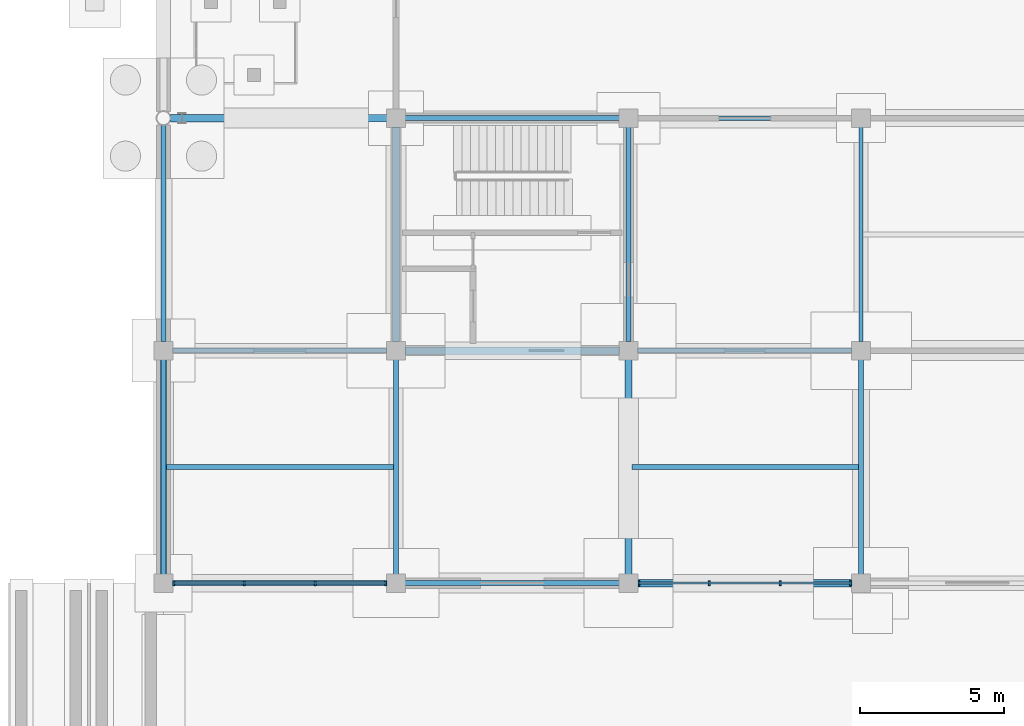
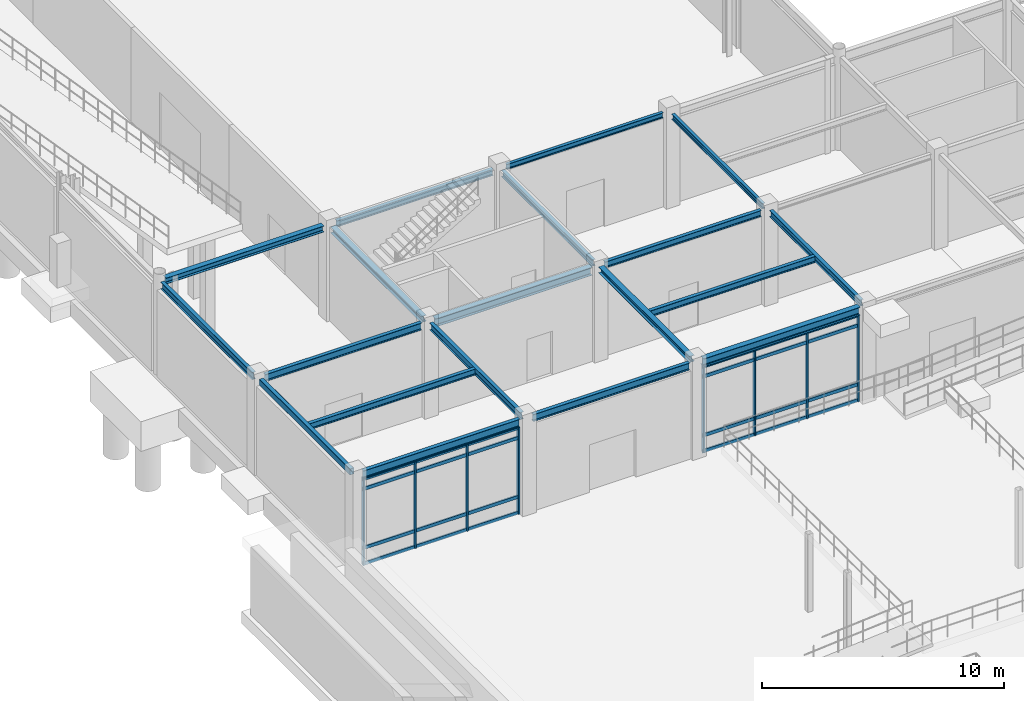
# One storey, part 35 of 67: 19 beams, 16 members, 2 elements without a shape of their own.
"""IFC4 building model written with IfcOpenShell, lengths in metres."""

from ifc_helpers import new_model, si_unit, direction, frame, origin, origin_2d, place, context, subcontext, project, spatial, rectangle, hollow_rectangle, i_section, extrude, material, layer, layer_set, material_profile, profile_set, type_object, element, aggregate, save


model = new_model("IFC4")

# Units and contexts
model_context = context("Model", 3, precision=1e-05, world=origin(), true_north=direction((0.0, 1.0)))
body_context = subcontext(model_context, "Body", "Model", "MODEL_VIEW")
ifc_project = project(units=[si_unit("LENGTHUNIT", "METRE"), si_unit("AREAUNIT", "SQUARE_METRE"), si_unit("VOLUMEUNIT", "CUBIC_METRE"), si_unit("PLANEANGLEUNIT", "RADIAN"), si_unit("MASSUNIT", "GRAM", prefix="KILO")], contexts=[model_context])

# Site, building, storey
site_placement = place(None, origin())
site = spatial("IfcSite", under=ifc_project, at=site_placement, CompositionType="ELEMENT")
building_placement = place(site_placement, origin())
building = spatial("IfcBuilding", under=site, at=building_placement, Name="Vaudrelin Polytechnic", CompositionType="ELEMENT")
storey_placement = place(building_placement, frame((0.0, 0.0, -5.10009765625)))
storey = spatial("IfcBuildingStorey", under=building, at=storey_placement, Name="B1", CompositionType="ELEMENT", Elevation=-5.10009765625)

# Beams
ifc_material_1 = material(Name="Steel CSA G40.21 350W", Category="steel")
ifc_material_profile_1 = material_profile(ifc_material_1, i_section(OverallWidth=0.178955078125, OverallDepth=0.409912109375, WebThickness=0.0087890625, FlangeThickness=0.014404296875, FilletRadius=0.01611328125, at=origin_2d()), Name="W410x67")
ifc_profile_set_1 = profile_set([ifc_material_profile_1], Name="Steel CSA G40.21 350W")
beam_type_1 = type_object("IfcBeamType", Name="BM-BM-W410", PredefinedType="BEAM", material=ifc_profile_set_1)
beam_1_placement = place(storey_placement, frame((0.321044921875, 32.39990234375, 4.5751953125), z_axis=(1.0, 0.0, 0.0), x_axis=(0.0, 1.0, 0.0)))
element("IfcBeam", 1, at=beam_1_placement, inside=storey, type_object=beam_type_1, Name="B1 X-beam 1-5", PredefinedType="BEAM", context=body_context, shape_type="SweptSolid", body=[
    extrude(i_section(OverallWidth=0.178955078125, OverallDepth=0.409912109375, WebThickness=0.0087890625, FlangeThickness=0.014404296875, FilletRadius=0.01611328125, at=origin_2d()), origin(), (0.0, 0.0, 1.0), 7.4580078125),
])
ifc_material_2 = material(Name="Steel CSA G40.21 350WT", Category="steel")
ifc_material_profile_2 = material_profile(ifc_material_2, i_section(OverallWidth=0.260009765625, OverallDepth=0.4150390625, WebThickness=0.010009765625, FlangeThickness=0.016845703125, FilletRadius=0.01611328125, at=origin_2d()), Name="W410x100")
ifc_profile_set_2 = profile_set([ifc_material_profile_2], Name="Steel CSA G40.21 350WT")
beam_type_2 = type_object("IfcBeamType", Name="BM-BM-W410H", PredefinedType="SPANDREL", material=ifc_profile_set_2)
for number, where, z_axis, x_axis, name in (
    (2, (8.4208984375, 40.5, 4.5126953125), (1.0, 0.0, 0.0), (0.0, 1.0, 0.0), "B1 X-beam 2-6"),
    (3, (16.52099609375, 32.39990234375, 4.572509765625), (1.0, 0.0, 0.0), (0.0, 1.0, 0.0), "B1 X-beam 3-5"),
):
    element("IfcBeam", number, at=place(storey_placement, frame(where, z_axis=z_axis, x_axis=x_axis)), inside=storey, type_object=beam_type_2, Name=name, PredefinedType="SPANDREL", context=body_context, shape_type="SweptSolid", body=[
        extrude(i_section(OverallWidth=0.260009765625, OverallDepth=0.4150390625, WebThickness=0.010009765625, FlangeThickness=0.016845703125, FilletRadius=0.01611328125, at=origin_2d()), origin(), (0.0, 0.0, 1.0), 7.4580078125),
    ])
ifc_material_profile_3 = material_profile(ifc_material_1, i_section(OverallWidth=0.14794921875, OverallDepth=0.26611328125, WebThickness=0.007568359375, FlangeThickness=0.012939453125, FilletRadius=0.012939453125, at=origin_2d()), Name="W250x45")
ifc_profile_set_3 = profile_set([ifc_material_profile_3], Name="Steel CSA G40.21 350W")
beam_type_3 = type_object("IfcBeamType", Name="BM-JS-W250", PredefinedType="JOIST", material=ifc_profile_set_3)
beam_2_placement = place(storey_placement, frame((24.300048828125, 40.81005859375, 4.587158203125), z_axis=(0.0, 1.0, 0.0), x_axis=(-1.0, 0.0, 0.0)))
element("IfcBeam", 4, at=beam_2_placement, inside=storey, type_object=beam_type_3, Name="B1 Y-beam 4-6", PredefinedType="JOIST", context=body_context, shape_type="SweptSolid", body=[
    extrude(i_section(OverallWidth=0.14794921875, OverallDepth=0.26611328125, WebThickness=0.007568359375, FlangeThickness=0.012939453125, FilletRadius=0.012939453125, at=origin_2d()), origin(), (0.0, 0.0, 1.0), 7.47998046875),
])
beam_3_placement = place(storey_placement, frame((16.52099609375, 48.60009765625, 4.587158203125), z_axis=(1.0, 0.0, 0.0), x_axis=(0.0, 1.0, 0.0)))
element("IfcBeam", 5, at=beam_3_placement, inside=storey, type_object=beam_type_3, Name="B1 X-beam 3-7", PredefinedType="JOIST", context=body_context, shape_type="SweptSolid", body=[
    extrude(i_section(OverallWidth=0.14794921875, OverallDepth=0.26611328125, WebThickness=0.007568359375, FlangeThickness=0.012939453125, FilletRadius=0.012939453125, at=origin_2d()), origin(), (0.0, 0.0, 1.0), 7.4580078125),
])
ifc_material_profile_4 = material_profile(ifc_material_1, i_section(OverallWidth=0.1669921875, OverallDepth=0.31689453125, WebThickness=0.007568359375, FlangeThickness=0.01318359375, FilletRadius=0.013916015625, at=origin_2d()), Name="W310x52")
ifc_profile_set_4 = profile_set([ifc_material_profile_4], Name="Steel CSA G40.21 350W")
beam_type_4 = type_object("IfcBeamType", Name="BM-JS-W310", PredefinedType="JOIST", material=ifc_profile_set_4)
for number, where, z_axis, x_axis, name in (
    (6, (16.199951171875, 40.81005859375, 4.5615234375), (0.0, 1.0, 0.0), (-1.0, 0.0, 0.0), "B1 Y-beam 3-6"),
    (7, (24.300048828125, 32.7099609375, 4.62158203125), (0.0, 1.0, 0.0), (-1.0, 0.0, 0.0), "B1 Y-beam 4-5"),
):
    element("IfcBeam", number, at=place(storey_placement, frame(where, z_axis=z_axis, x_axis=x_axis)), inside=storey, type_object=beam_type_4, Name=name, PredefinedType="JOIST", context=body_context, shape_type="SweptSolid", body=[
        extrude(i_section(OverallWidth=0.1669921875, OverallDepth=0.31689453125, WebThickness=0.007568359375, FlangeThickness=0.01318359375, FilletRadius=0.013916015625, at=origin_2d()), origin(), (0.0, 0.0, 1.0), 7.47998046875),
    ])
beam_4_placement = place(storey_placement, frame((0.097412109375, 36.449951171875, 4.62158203125), z_axis=(1.0, 0.0, 0.0), x_axis=(0.0, 1.0, 0.0)))
element("IfcBeam", 8, at=beam_4_placement, inside=storey, type_object=beam_type_4, Name="B1 floor joist 1-5", PredefinedType="JOIST", context=body_context, shape_type="SweptSolid", body=[
    extrude(i_section(OverallWidth=0.1669921875, OverallDepth=0.31689453125, WebThickness=0.007568359375, FlangeThickness=0.01318359375, FilletRadius=0.013916015625, at=origin_2d()), origin(), (0.0, 0.0, 1.0), 7.920654296875),
])
beam_5_placement = place(storey_placement, frame((8.4208984375, 48.60009765625, 4.5615234375), z_axis=(1.0, 0.0, 0.0), x_axis=(0.0, 1.0, 0.0)))
element("IfcBeam", 9, at=beam_5_placement, inside=storey, type_object=beam_type_4, Name="B1 X-beam 2-7", PredefinedType="JOIST", context=body_context, shape_type="SweptSolid", body=[
    extrude(i_section(OverallWidth=0.1669921875, OverallDepth=0.31689453125, WebThickness=0.007568359375, FlangeThickness=0.01318359375, FilletRadius=0.013916015625, at=origin_2d()), origin(), (0.0, 0.0, 1.0), 7.4580078125),
])
beam_6_placement = place(storey_placement, frame((16.322998046875, 36.449951171875, 4.62158203125), z_axis=(1.0, 0.0, 0.0), x_axis=(0.0, 1.0, 0.0)))
element("IfcBeam", 10, at=beam_6_placement, inside=storey, type_object=beam_type_4, Name="B1 floor joist 3-5", PredefinedType="JOIST", context=body_context, shape_type="SweptSolid", body=[
    extrude(i_section(OverallWidth=0.1669921875, OverallDepth=0.31689453125, WebThickness=0.007568359375, FlangeThickness=0.01318359375, FilletRadius=0.013916015625, at=origin_2d()), origin(), (0.0, 0.0, 1.0), 7.8974609375),
])
beam_7_placement = place(storey_placement, frame((16.52099609375, 40.5, 4.5615234375), z_axis=(1.0, 0.0, 0.0), x_axis=(0.0, 1.0, 0.0)))
element("IfcBeam", 11, at=beam_7_placement, inside=storey, type_object=beam_type_4, Name="B1 X-beam 3-6", PredefinedType="JOIST", context=body_context, shape_type="SweptSolid", body=[
    extrude(i_section(OverallWidth=0.1669921875, OverallDepth=0.31689453125, WebThickness=0.007568359375, FlangeThickness=0.01318359375, FilletRadius=0.013916015625, at=origin_2d()), origin(), (0.0, 0.0, 1.0), 7.4580078125),
])
ifc_material_profile_5 = material_profile(ifc_material_2, i_section(OverallWidth=0.25390625, OverallDepth=0.305908203125, WebThickness=0.0087890625, FlangeThickness=0.0146484375, FilletRadius=0.01611328125, at=origin_2d()), Name="W310x79")
ifc_profile_set_5 = profile_set([ifc_material_profile_5], Name="Steel CSA G40.21 350WT")
beam_type_5 = type_object("IfcBeamType", Name="BM-JS-W310H", PredefinedType="SPANDREL", material=ifc_profile_set_5)
for number, where, z_axis, x_axis, name in (
    (12, (8.10009765625, 40.81005859375, 4.567138671875), (0.0, 1.0, 0.0), (-1.0, 0.0, 0.0), "B1 Y-beam 2-6"),
    (13, (16.199951171875, 32.7099609375, 4.627197265625), (0.0, 1.0, 0.0), (-1.0, 0.0, 0.0), "B1 Y-beam 3-5"),
):
    element("IfcBeam", number, at=place(storey_placement, frame(where, z_axis=z_axis, x_axis=x_axis)), inside=storey, type_object=beam_type_5, Name=name, PredefinedType="SPANDREL", context=body_context, shape_type="SweptSolid", body=[
        extrude(i_section(OverallWidth=0.25390625, OverallDepth=0.305908203125, WebThickness=0.0087890625, FlangeThickness=0.0146484375, FilletRadius=0.01611328125, at=origin_2d()), origin(), (0.0, 0.0, 1.0), 7.47998046875),
    ])
beam_8_placement = place(storey_placement, frame((0.25, 48.60009765625, 4.567138671875), z_axis=(1.0, 0.0, 0.0), x_axis=(0.0, 1.0, 0.0)))
element("IfcBeam", 14, at=beam_8_placement, inside=storey, type_object=beam_type_5, Name="B1 X-beam 1-7", PredefinedType="SPANDREL", context=body_context, shape_type="SweptSolid", body=[
    extrude(i_section(OverallWidth=0.25390625, OverallDepth=0.305908203125, WebThickness=0.0087890625, FlangeThickness=0.0146484375, FilletRadius=0.01611328125, at=origin_2d()), origin(), (0.0, 0.0, 1.0), 7.529052734375),
])
ifc_material_profile_6 = material_profile(ifc_material_1, i_section(OverallWidth=0.172119140625, OverallDepth=0.35791015625, WebThickness=0.0078125, FlangeThickness=0.01318359375, FilletRadius=0.014892578125, at=origin_2d()), Name="W360x57")
ifc_profile_set_6 = profile_set([ifc_material_profile_6], Name="Steel CSA G40.21 350W")
beam_type_6 = type_object("IfcBeamType", Name="BM-JS-W360", PredefinedType="JOIST", material=ifc_profile_set_6)
beam_9_placement = place(storey_placement, frame((0.0, 40.81005859375, 4.541015625), z_axis=(0.0, 1.0, 0.0), x_axis=(-1.0, 0.0, 0.0)))
element("IfcBeam", 15, at=beam_9_placement, inside=storey, type_object=beam_type_6, Name="B1 Y-beam 1-6", PredefinedType="JOIST", context=body_context, shape_type="SweptSolid", body=[
    extrude(i_section(OverallWidth=0.172119140625, OverallDepth=0.35791015625, WebThickness=0.0078125, FlangeThickness=0.01318359375, FilletRadius=0.014892578125, at=origin_2d()), origin(), (0.0, 0.0, 1.0), 7.551025390625),
])
beam_10_placement = place(storey_placement, frame((8.10009765625, 32.7099609375, 4.60107421875), z_axis=(0.0, 1.0, 0.0), x_axis=(-1.0, 0.0, 0.0)))
element("IfcBeam", 16, at=beam_10_placement, inside=storey, type_object=beam_type_6, Name="B1 Y-beam 2-5", PredefinedType="JOIST", context=body_context, shape_type="SweptSolid", body=[
    extrude(i_section(OverallWidth=0.172119140625, OverallDepth=0.35791015625, WebThickness=0.0078125, FlangeThickness=0.01318359375, FilletRadius=0.014892578125, at=origin_2d()), origin(), (0.0, 0.0, 1.0), 7.47998046875),
])
for number, where, z_axis, x_axis, name in (
    (17, (0.321044921875, 40.5, 4.541015625), (1.0, 0.0, 0.0), (0.0, 1.0, 0.0), "B1 X-beam 1-6"),
    (18, (8.4208984375, 32.39990234375, 4.60107421875), (1.0, 0.0, 0.0), (0.0, 1.0, 0.0), "B1 X-beam 2-5"),
):
    element("IfcBeam", number, at=place(storey_placement, frame(where, z_axis=z_axis, x_axis=x_axis)), inside=storey, type_object=beam_type_6, Name=name, PredefinedType="JOIST", context=body_context, shape_type="SweptSolid", body=[
        extrude(i_section(OverallWidth=0.172119140625, OverallDepth=0.35791015625, WebThickness=0.0078125, FlangeThickness=0.01318359375, FilletRadius=0.014892578125, at=origin_2d()), origin(), (0.0, 0.0, 1.0), 7.4580078125),
    ])
ifc_material_profile_7 = material_profile(ifc_material_2, hollow_rectangle(XDim=0.202880859375, YDim=0.304931640625, WallThickness=0.010986328125, InnerFilletRadius=0.010986328125, OuterFilletRadius=0.022216796875, at=origin_2d()), Name="HSS305x203x11.1")
ifc_profile_set_7 = profile_set([ifc_material_profile_7], Name="Steel CSA G40.21 350WT")
beam_type_7 = type_object("IfcBeamType", Name="BM-SP-HSS30", PredefinedType="SPANDREL", material=ifc_profile_set_7)
beam_11_placement = place(storey_placement, frame((0.0, 32.7099609375, 4.627685546875), z_axis=(0.0, 1.0, 0.0), x_axis=(-1.0, 0.0, 0.0)))
element("IfcBeam", 19, at=beam_11_placement, inside=storey, type_object=beam_type_7, Name="B1 Y-beam 1-5", PredefinedType="SPANDREL", context=body_context, shape_type="SweptSolid", body=[
    extrude(hollow_rectangle(XDim=0.202880859375, YDim=0.304931640625, WallThickness=0.010986328125, InnerFilletRadius=0.010986328125, OuterFilletRadius=0.022216796875, at=origin_2d()), origin(), (0.0, 0.0, 1.0), 7.47998046875),
])

# Curtain wall, members
ifc_material_3 = material(Name="Thermally broken anodised aluminium AA 6063-T6 and low-e triple glazing", Category="aluminium")
ifc_layer = layer(ifc_material_3, 0.199951171875)
ifc_layer_set = layer_set([ifc_layer], Name="Thermally broken anodised aluminium AA 6063-T6 and low-e triple glazing")
curtain_wall_type = type_object("IfcCurtainWallType", Name="CW-CW-POR", PredefinedType="USERDEFINED", material=ifc_layer_set)
curtain_wall_1_placement = place(storey_placement, origin())
curtain_wall_1 = element("IfcCurtainWall", 20, at=curtain_wall_1_placement, inside=storey, type_object=curtain_wall_type, Name="Curtain wall B1 FC_N_00", ObjectType="CURTAIN WALL", PredefinedType="USERDEFINED")
ifc_material_4 = material(Name="Anodised aluminium AA 6063-T6", Category="aluminium")
ifc_material_profile_8 = material_profile(ifc_material_4, rectangle(XDim=0.06494140625, YDim=0.179931640625, at=origin_2d()), Name="CWM-65x180")
ifc_profile_set_8 = profile_set([ifc_material_profile_8], Name="Anodised aluminium AA 6063-T6")
member_type_1 = type_object("IfcMemberType", Name="MEM-CWM-180", PredefinedType="MULLION", material=ifc_profile_set_8)
member_1_placement = place(storey_placement, frame((0.363037109375, 32.39990234375, 0.0), z_axis=(0.0, 0.0, 1.0), x_axis=(1.0, 0.0, 0.0)))
member_1 = element("IfcMember", 21, at=member_1_placement, type_object=member_type_1, Name="FC_N_00 mullion 1", PredefinedType="MULLION", context=body_context, shape_type="SweptSolid", body=[
    extrude(rectangle(XDim=0.06494140625, YDim=0.179931640625, at=origin_2d()), origin(), (0.0, 0.0, 1.0), 4.3720703125),
])
member_2_placement = place(storey_placement, frame((2.8076171875, 32.39990234375, 0.0), z_axis=(0.0, 0.0, 1.0), x_axis=(1.0, 0.0, 0.0)))
member_2 = element("IfcMember", 22, at=member_2_placement, type_object=member_type_1, Name="FC_N_00 mullion 2", PredefinedType="MULLION", context=body_context, shape_type="SweptSolid", body=[
    extrude(rectangle(XDim=0.06494140625, YDim=0.179931640625, at=origin_2d()), origin(), (0.0, 0.0, 1.0), 4.3720703125),
])
member_3_placement = place(storey_placement, frame((5.292236328125, 32.39990234375, 0.0), z_axis=(0.0, 0.0, 1.0), x_axis=(1.0, 0.0, 0.0)))
member_3 = element("IfcMember", 23, at=member_3_placement, type_object=member_type_1, Name="FC_N_00 mullion 3", PredefinedType="MULLION", context=body_context, shape_type="SweptSolid", body=[
    extrude(rectangle(XDim=0.06494140625, YDim=0.179931640625, at=origin_2d()), origin(), (0.0, 0.0, 1.0), 4.3720703125),
])
member_4_placement = place(storey_placement, frame((7.737060546875, 32.39990234375, 0.0), z_axis=(0.0, 0.0, 1.0), x_axis=(1.0, 0.0, 0.0)))
member_4 = element("IfcMember", 24, at=member_4_placement, type_object=member_type_1, Name="FC_N_00 mullion 4", PredefinedType="MULLION", context=body_context, shape_type="SweptSolid", body=[
    extrude(rectangle(XDim=0.06494140625, YDim=0.179931640625, at=origin_2d()), origin(), (0.0, 0.0, 1.0), 4.3720703125),
])

curtain_wall_2_placement = place(storey_placement, origin())
curtain_wall_2 = element("IfcCurtainWall", 25, at=curtain_wall_2_placement, inside=storey, type_object=curtain_wall_type, Name="Curtain wall B1 FC_N_02", ObjectType="CURTAIN WALL", PredefinedType="USERDEFINED")
member_5_placement = place(storey_placement, frame((16.56298828125, 32.39990234375, 0.0), z_axis=(0.0, 0.0, 1.0), x_axis=(1.0, 0.0, 0.0)))
member_5 = element("IfcMember", 26, at=member_5_placement, type_object=member_type_1, Name="FC_N_02 mullion 1", PredefinedType="MULLION", context=body_context, shape_type="SweptSolid", body=[
    extrude(rectangle(XDim=0.06494140625, YDim=0.179931640625, at=origin_2d()), origin(), (0.0, 0.0, 1.0), 4.3671875),
])
member_6_placement = place(storey_placement, frame((19.0078125, 32.39990234375, 0.0), z_axis=(0.0, 0.0, 1.0), x_axis=(1.0, 0.0, 0.0)))
member_6 = element("IfcMember", 27, at=member_6_placement, type_object=member_type_1, Name="FC_N_02 mullion 2", PredefinedType="MULLION", context=body_context, shape_type="SweptSolid", body=[
    extrude(rectangle(XDim=0.06494140625, YDim=0.179931640625, at=origin_2d()), origin(), (0.0, 0.0, 1.0), 4.3671875),
])
member_7_placement = place(storey_placement, frame((21.4921875, 32.39990234375, 0.0), z_axis=(0.0, 0.0, 1.0), x_axis=(1.0, 0.0, 0.0)))
member_7 = element("IfcMember", 28, at=member_7_placement, type_object=member_type_1, Name="FC_N_02 mullion 3", PredefinedType="MULLION", context=body_context, shape_type="SweptSolid", body=[
    extrude(rectangle(XDim=0.06494140625, YDim=0.179931640625, at=origin_2d()), origin(), (0.0, 0.0, 1.0), 4.3671875),
])
member_8_placement = place(storey_placement, frame((23.93701171875, 32.39990234375, 0.0), z_axis=(0.0, 0.0, 1.0), x_axis=(1.0, 0.0, 0.0)))
member_8 = element("IfcMember", 29, at=member_8_placement, type_object=member_type_1, Name="FC_N_02 mullion 4", PredefinedType="MULLION", context=body_context, shape_type="SweptSolid", body=[
    extrude(rectangle(XDim=0.06494140625, YDim=0.179931640625, at=origin_2d()), origin(), (0.0, 0.0, 1.0), 4.3671875),
])

# Member
ifc_material_profile_9 = material_profile(ifc_material_4, rectangle(XDim=0.074951171875, YDim=0.1650390625, at=origin_2d()), Name="CWT-75x165")
ifc_profile_set_9 = profile_set([ifc_material_profile_9], Name="Anodised aluminium AA 6063-T6")
member_type_2 = type_object("IfcMemberType", Name="MEM-CWT-165", PredefinedType="USERDEFINED", material=ifc_profile_set_9)
member_9_placement = place(storey_placement, frame((0.322998046875, 32.39990234375, 0.050048828125), z_axis=(1.0, 0.0, 0.0), x_axis=(0.0, 1.0, 0.0)))
member_9 = element("IfcMember", 30, at=member_9_placement, type_object=member_type_2, Name="FC_N_00 transom 1", ObjectType="TRANSOM", PredefinedType="USERDEFINED", context=body_context, shape_type="SweptSolid", body=[
    extrude(rectangle(XDim=0.074951171875, YDim=0.1650390625, at=origin_2d()), origin(), (0.0, 0.0, 1.0), 7.4541015625),
])

member_10_placement = place(storey_placement, frame((0.322998046875, 32.39990234375, 0.85009765625), z_axis=(1.0, 0.0, 0.0), x_axis=(0.0, 1.0, 0.0)))
member_10 = element("IfcMember", 31, at=member_10_placement, type_object=member_type_2, Name="FC_N_00 transom 2", ObjectType="TRANSOM", PredefinedType="USERDEFINED", context=body_context, shape_type="SweptSolid", body=[
    extrude(rectangle(XDim=0.074951171875, YDim=0.1650390625, at=origin_2d()), origin(), (0.0, 0.0, 1.0), 7.4541015625),
])

member_11_placement = place(storey_placement, frame((0.322998046875, 32.39990234375, 3.822021484375), z_axis=(1.0, 0.0, 0.0), x_axis=(0.0, 1.0, 0.0)))
member_11 = element("IfcMember", 32, at=member_11_placement, type_object=member_type_2, Name="FC_N_00 transom 3", ObjectType="TRANSOM", PredefinedType="USERDEFINED", context=body_context, shape_type="SweptSolid", body=[
    extrude(rectangle(XDim=0.074951171875, YDim=0.1650390625, at=origin_2d()), origin(), (0.0, 0.0, 1.0), 7.4541015625),
])

member_12_placement = place(storey_placement, frame((0.322998046875, 32.39990234375, 4.322021484375), z_axis=(1.0, 0.0, 0.0), x_axis=(0.0, 1.0, 0.0)))
member_12 = element("IfcMember", 33, at=member_12_placement, type_object=member_type_2, Name="FC_N_00 transom 4", ObjectType="TRANSOM", PredefinedType="USERDEFINED", context=body_context, shape_type="SweptSolid", body=[
    extrude(rectangle(XDim=0.074951171875, YDim=0.1650390625, at=origin_2d()), origin(), (0.0, 0.0, 1.0), 7.4541015625),
])

aggregate(curtain_wall_1, [member_1, member_2, member_3, member_4, member_9, member_10, member_11, member_12])

member_13_placement = place(storey_placement, frame((16.52294921875, 32.39990234375, 0.050048828125), z_axis=(1.0, 0.0, 0.0), x_axis=(0.0, 1.0, 0.0)))
member_13 = element("IfcMember", 34, at=member_13_placement, type_object=member_type_2, Name="FC_N_02 transom 1", ObjectType="TRANSOM", PredefinedType="USERDEFINED", context=body_context, shape_type="SweptSolid", body=[
    extrude(rectangle(XDim=0.074951171875, YDim=0.1650390625, at=origin_2d()), origin(), (0.0, 0.0, 1.0), 7.4541015625),
])

member_14_placement = place(storey_placement, frame((16.52294921875, 32.39990234375, 0.85009765625), z_axis=(1.0, 0.0, 0.0), x_axis=(0.0, 1.0, 0.0)))
member_14 = element("IfcMember", 35, at=member_14_placement, type_object=member_type_2, Name="FC_N_02 transom 2", ObjectType="TRANSOM", PredefinedType="USERDEFINED", context=body_context, shape_type="SweptSolid", body=[
    extrude(rectangle(XDim=0.074951171875, YDim=0.1650390625, at=origin_2d()), origin(), (0.0, 0.0, 1.0), 7.4541015625),
])

member_15_placement = place(storey_placement, frame((16.52294921875, 32.39990234375, 3.817138671875), z_axis=(1.0, 0.0, 0.0), x_axis=(0.0, 1.0, 0.0)))
member_15 = element("IfcMember", 36, at=member_15_placement, type_object=member_type_2, Name="FC_N_02 transom 3", ObjectType="TRANSOM", PredefinedType="USERDEFINED", context=body_context, shape_type="SweptSolid", body=[
    extrude(rectangle(XDim=0.074951171875, YDim=0.1650390625, at=origin_2d()), origin(), (0.0, 0.0, 1.0), 7.4541015625),
])

member_16_placement = place(storey_placement, frame((16.52294921875, 32.39990234375, 4.317138671875), z_axis=(1.0, 0.0, 0.0), x_axis=(0.0, 1.0, 0.0)))
member_16 = element("IfcMember", 37, at=member_16_placement, type_object=member_type_2, Name="FC_N_02 transom 4", ObjectType="TRANSOM", PredefinedType="USERDEFINED", context=body_context, shape_type="SweptSolid", body=[
    extrude(rectangle(XDim=0.074951171875, YDim=0.1650390625, at=origin_2d()), origin(), (0.0, 0.0, 1.0), 7.4541015625),
])

aggregate(curtain_wall_2, [member_5, member_6, member_7, member_8, member_13, member_14, member_15, member_16])

save(model, "model.ifc")
